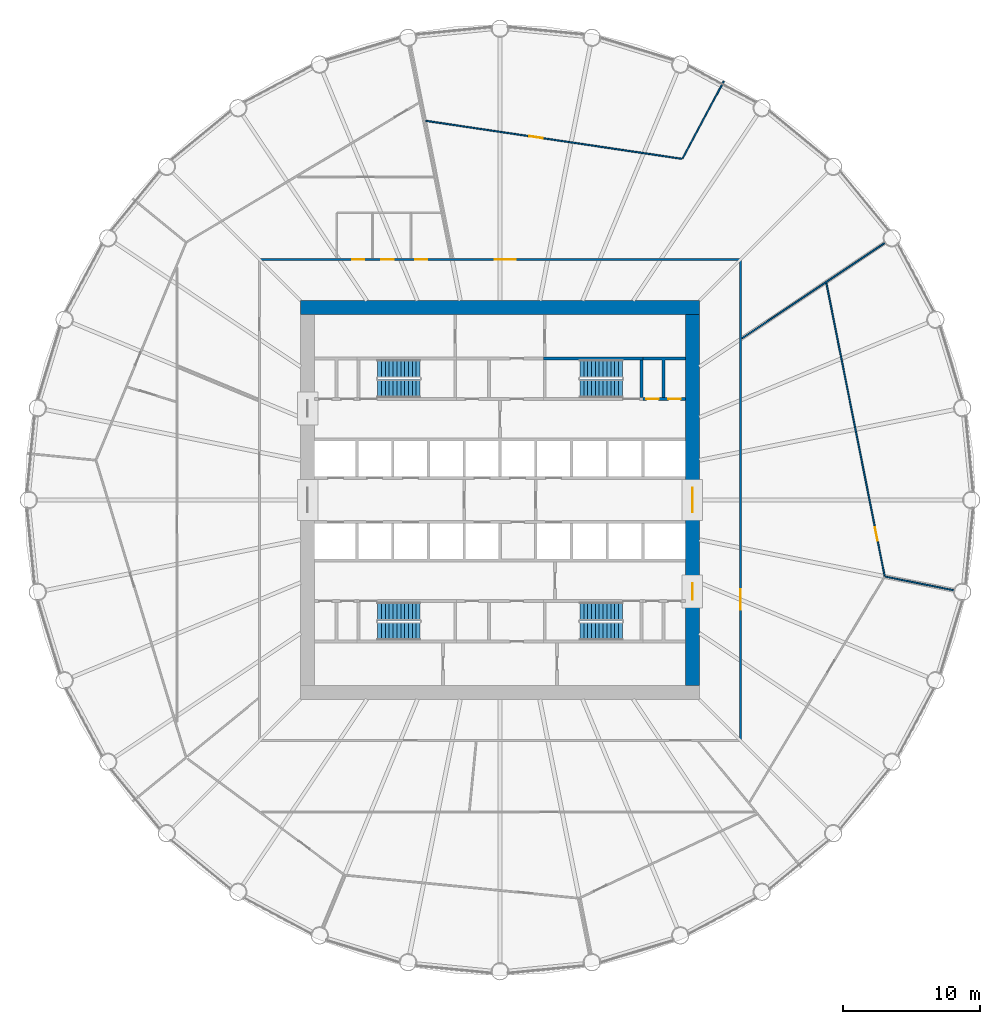
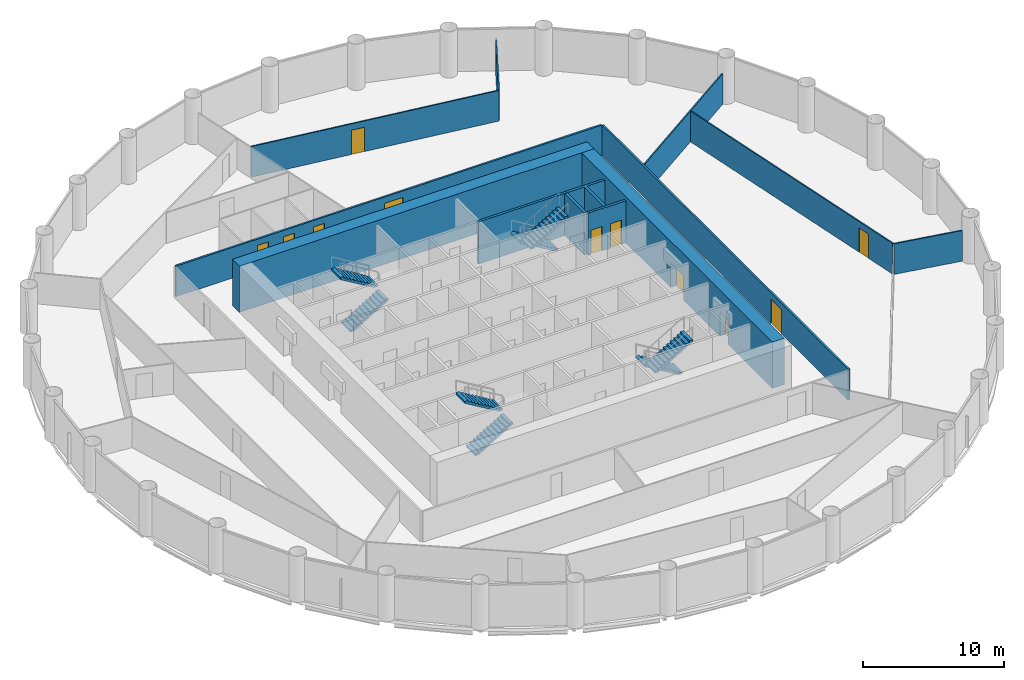
# One storey, part 7 of 8: 13 walls, 11 doors, 8 stair flights, 11 openings, 4 elements without a shape of their own.
"""IFC4 building model written with IfcOpenShell, lengths in metres."""

from ifc_helpers import new_model, si_unit, direction, frame, frame_2d, origin, place, context, subcontext, project, spatial, polyline, rectangle, outline, extrude, material, layer, layer_set, type_object, element, fill, aggregate, save


model = new_model("IFC4")

# Units and contexts
model_context = context("Model", 3, precision=1e-05, world=origin(), true_north=direction((0.0, 1.0)))
body_context = subcontext(model_context, "Body", "Model", "MODEL_VIEW")
ifc_project = project(units=[si_unit("LENGTHUNIT", "METRE"), si_unit("AREAUNIT", "SQUARE_METRE"), si_unit("VOLUMEUNIT", "CUBIC_METRE"), si_unit("PLANEANGLEUNIT", "RADIAN"), si_unit("MASSUNIT", "GRAM", prefix="KILO")], contexts=[model_context])

# Site, building, storey
site_placement = place(None, origin())
site = spatial("IfcSite", under=ifc_project, at=site_placement, CompositionType="ELEMENT")
building_placement = place(site_placement, origin())
building = spatial("IfcBuilding", under=site, at=building_placement, Name="Corvane Civic Tower", CompositionType="ELEMENT")
storey_placement = place(building_placement, frame((0.0, 0.0, 134.5)))
storey = spatial("IfcBuildingStorey", under=building, at=storey_placement, Name="L31", CompositionType="ELEMENT", Elevation=134.5)

# Wall
ifc_material_1 = material(Name="Concrete C70/85", Category="concrete")
ifc_layer_1 = layer(ifc_material_1, 1.0)
ifc_layer_set_1 = layer_set([ifc_layer_1], Name="Concrete C70/85")
wall_type_1 = type_object("IfcWallType", Name="CORE WALL 1000 C70/85", PredefinedType="SHEAR", material=ifc_layer_set_1)
wall_1_placement = place(storey_placement, frame((-14.5, 14.0, 0.0), z_axis=(0.0, 0.0, 1.0), x_axis=(1.0, 0.0, 0.0)))
element("IfcWall", 1, at=wall_1_placement, inside=storey, type_object=wall_type_1, Name="W-L31-core-N", PredefinedType="SHEAR", context=body_context, shape_type="SweptSolid", body=[
    extrude(rectangle(XDim=29.0, YDim=1.0, at=frame_2d((14.5, 0.0))), origin(), (0.0, 0.0, 1.0), 4.0),
])

# Wall, openings, doors
wall_2_placement = place(storey_placement, frame((14.0, -13.5, 0.0), z_axis=(0.0, 0.0, 1.0), x_axis=(0.0, 1.0, 0.0)))
wall_2 = element("IfcWall", 2, at=wall_2_placement, inside=storey, type_object=wall_type_1, Name="W-L31-core-E", PredefinedType="SHEAR", context=body_context, shape_type="SweptSolid", body=[
    extrude(rectangle(XDim=27.0, YDim=1.0, at=frame_2d((13.5, 0.0))), origin(), (0.0, 0.0, 1.0), 4.0),
])
opening_1_placement = place(wall_2_placement, frame((12.60009765625, 0.0, 0.0)))
opening_1 = element("IfcOpeningElement", 3, at=opening_1_placement, cuts=wall_2, Name="Opening L31.C29", PredefinedType="OPENING", context=body_context, shape_type="SweptSolid", body=[
    extrude(rectangle(XDim=1.800048828125, YDim=2.10009765625, at=frame_2d((0.89990234375, 1.050048828125))), frame((0.0, 0.510009765625, 0.0), z_axis=(0.0, -1.0, 0.0), x_axis=(1.0, 0.0, 0.0)), (0.0, 0.0, 1.0), 1.02001953125),
])
opening_2_placement = place(wall_2_placement, frame((6.25, 0.0, 0.0)))
opening_2 = element("IfcOpeningElement", 4, at=opening_2_placement, cuts=wall_2, Name="Opening L31.C31", PredefinedType="OPENING", context=body_context, shape_type="SweptSolid", body=[
    extrude(rectangle(XDim=1.199951171875, YDim=2.10009765625, at=frame_2d((0.60009765625, 1.050048828125))), frame((0.0, 0.510009765625, 0.0), z_axis=(0.0, -1.0, 0.0), x_axis=(1.0, 0.0, 0.0)), (0.0, 0.0, 1.0), 1.02001953125),
])
ifc_material_2 = material(Name="Steel fire door leaf", Category="steel")
door_type_1 = type_object("IfcDoorType", Name="CR-DOOR-CORE-1800", OperationType="DOUBLE_DOOR_SINGLE_SWING", PredefinedType="DOOR", material=ifc_material_2)
door_1_placement = place(opening_1_placement, origin())
door_1 = element("IfcDoor", 5, at=door_1_placement, inside=storey, type_object=door_type_1, Name="L31 door", OperationType="DOUBLE_DOOR_SINGLE_SWING", OverallHeight=2.10009765625, OverallWidth=1.800048828125, PredefinedType="DOOR", context=body_context, shape_type="SweptSolid", body=[
    extrude(rectangle(XDim=1.800048828125, YDim=2.10009765625, at=frame_2d((0.89990234375, 1.050048828125))), frame((0.0, 0.02490234375, 0.0), z_axis=(0.0, -1.0, 0.0), x_axis=(1.0, 0.0, 0.0)), (0.0, 0.0, 1.0), 0.050048828125),
])
fill(opening_1, door_1)
door_2_placement = place(opening_2_placement, origin())
door_2 = element("IfcDoor", 6, at=door_2_placement, inside=storey, type_object=door_type_1, Name="L31 door", OperationType="DOUBLE_DOOR_SINGLE_SWING", OverallHeight=2.10009765625, OverallWidth=1.199951171875, PredefinedType="DOOR", context=body_context, shape_type="SweptSolid", body=[
    extrude(rectangle(XDim=1.199951171875, YDim=2.10009765625, at=frame_2d((0.60009765625, 1.050048828125))), frame((0.0, 0.02490234375, 0.0), z_axis=(0.0, -1.0, 0.0), x_axis=(1.0, 0.0, 0.0)), (0.0, 0.0, 1.0), 0.050048828125),
])
fill(opening_2, door_2)

ifc_material_3 = material(Name="Concrete C30/37", Category="concrete")
ifc_layer_2 = layer(ifc_material_3, 0.199951171875)
ifc_layer_set_2 = layer_set([ifc_layer_2], Name="Concrete C30/37")
wall_type_2 = type_object("IfcWallType", Name="CR-WALL-200", PredefinedType="PARTITIONING", material=ifc_layer_set_2)
wall_3_placement = place(storey_placement, frame((10.39990234375, 7.35009765625, 0.0), z_axis=(0.0, 0.0, 1.0), x_axis=(1.0, 0.0, 0.0)))
wall_3 = element("IfcWall", 7, at=wall_3_placement, inside=storey, type_object=wall_type_2, Name="L31 core partition wall", PredefinedType="PARTITIONING", context=body_context, shape_type="SweptSolid", body=[
    extrude(rectangle(XDim=3.10009765625, YDim=0.199951171875, at=frame_2d((1.550048828125, 0.0))), origin(), (0.0, 0.0, 1.0), 3.64990234375),
])
opening_3_placement = place(wall_3_placement, frame((0.25, 0.0, 0.0)))
opening_3 = element("IfcOpeningElement", 8, at=opening_3_placement, cuts=wall_3, Name="Opening L31.C16", PredefinedType="OPENING", context=body_context, shape_type="SweptSolid", body=[
    extrude(rectangle(XDim=0.89990234375, YDim=2.10009765625, at=frame_2d((0.449951171875, 1.050048828125))), frame((0.0, 0.10986328125, 0.0), z_axis=(0.0, -1.0, 0.0), x_axis=(1.0, 0.0, 0.0)), (0.0, 0.0, 1.0), 0.219970703125),
])
opening_4_placement = place(wall_3_placement, frame((1.85009765625, 0.0, 0.0)))
opening_4 = element("IfcOpeningElement", 9, at=opening_4_placement, cuts=wall_3, Name="Opening L31.C17", PredefinedType="OPENING", context=body_context, shape_type="SweptSolid", body=[
    extrude(rectangle(XDim=0.89990234375, YDim=2.10009765625, at=frame_2d((0.449951171875, 1.050048828125))), frame((0.0, 0.10986328125, 0.0), z_axis=(0.0, -1.0, 0.0), x_axis=(1.0, 0.0, 0.0)), (0.0, 0.0, 1.0), 0.219970703125),
])
ifc_material_4 = material(Name="Steel fire door leaf", Category="steel")
door_type_2 = type_object("IfcDoorType", Name="CR-DOOR-900", OperationType="SINGLE_SWING_LEFT", PredefinedType="DOOR", material=ifc_material_4)
door_3_placement = place(opening_3_placement, origin())
door_3 = element("IfcDoor", 10, at=door_3_placement, inside=storey, type_object=door_type_2, Name="L31 door", OperationType="SINGLE_SWING_LEFT", OverallHeight=2.10009765625, OverallWidth=0.89990234375, PredefinedType="DOOR", context=body_context, shape_type="SweptSolid", body=[
    extrude(rectangle(XDim=0.89990234375, YDim=2.10009765625, at=frame_2d((0.449951171875, 1.050048828125))), frame((0.0, 0.02490234375, 0.0), z_axis=(0.0, -1.0, 0.0), x_axis=(1.0, 0.0, 0.0)), (0.0, 0.0, 1.0), 0.050048828125),
])
fill(opening_3, door_3)
door_4_placement = place(opening_4_placement, origin())
door_4 = element("IfcDoor", 11, at=door_4_placement, inside=storey, type_object=door_type_2, Name="L31 door", OperationType="SINGLE_SWING_LEFT", OverallHeight=2.10009765625, OverallWidth=0.89990234375, PredefinedType="DOOR", context=body_context, shape_type="SweptSolid", body=[
    extrude(rectangle(XDim=0.89990234375, YDim=2.10009765625, at=frame_2d((0.449951171875, 1.050048828125))), frame((0.0, 0.02490234375, 0.0), z_axis=(0.0, -1.0, 0.0), x_axis=(1.0, 0.0, 0.0)), (0.0, 0.0, 1.0), 0.050048828125),
])
fill(opening_4, door_4)

# Walls
wall_4_placement = place(storey_placement, origin())
element("IfcWall", 12, at=wall_4_placement, inside=storey, type_object=wall_type_2, Name="L31 core partition wall", PredefinedType="PARTITIONING", context=body_context, shape_type="SweptSolid", body=[
    extrude(outline(polyline([(13.5, 10.39990234375), (13.5, 10.199951171875), (12.0, 10.199951171875), (12.0, 7.449951171875), (11.800048828125, 7.449951171875), (11.800048828125, 10.199951171875), (10.39990234375, 10.199951171875), (10.39990234375, 10.39990234375), (13.5, 10.39990234375)])), origin(), (0.0, 0.0, 1.0), 3.64990234375),
])
ifc_material_5 = material(Name="Plasterboard")
ifc_layer_3 = layer(ifc_material_5, 0.10009765625)
ifc_layer_set_3 = layer_set([ifc_layer_3], Name="Plasterboard")
wall_type_3 = type_object("IfcWallType", Name="Partition 100 plasterboard on studs", PredefinedType="PARTITIONING", material=ifc_layer_set_3)
wall_5_placement = place(storey_placement, frame((28.029052734375, -5.5751953125, 0.0), z_axis=(0.0, 0.0, 1.0), x_axis=(0.980783206966, -0.195100745599, 0.0)))
element("IfcWall", 13, at=wall_5_placement, inside=storey, type_object=wall_type_3, Name="Partition L31.019", PredefinedType="PARTITIONING", context=body_context, shape_type="SweptSolid", body=[
    extrude(rectangle(XDim=5.086669921875, YDim=0.10009765625, at=frame_2d((2.54345703125, 0.0))), origin(), (0.0, 0.0, 1.0), 2.64990234375),
])

# Wall, opening, door
wall_6_placement = place(storey_placement, frame((23.747314453125, 15.7841796875, 0.0), z_axis=(0.0, 0.0, 1.0), x_axis=(0.195087930111, -0.98078575618, 0.0)))
wall_6 = element("IfcWall", 14, at=wall_6_placement, inside=storey, type_object=wall_type_3, Name="Partition L31.020", PredefinedType="PARTITIONING", context=body_context, shape_type="SweptSolid", body=[
    extrude(rectangle(XDim=21.737548828125, YDim=0.10009765625, at=frame_2d((10.86865234375, 0.0))), origin(), (0.0, 0.0, 1.0), 2.64990234375),
])
opening_5_placement = place(wall_6_placement, frame((18.12255859375, 0.0, 0.0)))
opening_5 = element("IfcOpeningElement", 15, at=opening_5_placement, cuts=wall_6, Name="Opening L31.003", PredefinedType="OPENING", context=body_context, shape_type="SweptSolid", body=[
    extrude(rectangle(XDim=1.0, YDim=2.10009765625, at=frame_2d((0.5, 1.050048828125))), frame((0.0, 0.06005859375, 0.0), z_axis=(0.0, -1.0, 0.0), x_axis=(1.0, 0.0, 0.0)), (0.0, 0.0, 1.0), 0.1201171875),
])
ifc_material_6 = material(Name="Timber", Category="wood")
door_type_3 = type_object("IfcDoorType", Name="Single door 1000", OperationType="NOTDEFINED", PredefinedType="DOOR", material=ifc_material_6)
door_5_placement = place(opening_5_placement, origin())
door_5 = element("IfcDoor", 16, at=door_5_placement, inside=storey, type_object=door_type_3, Name="Door L31.003", OperationType="SINGLE_SWING_LEFT", OverallHeight=2.10009765625, OverallWidth=1.0, PredefinedType="DOOR", context=body_context, shape_type="SweptSolid", body=[
    extrude(rectangle(XDim=1.0, YDim=2.10009765625, at=frame_2d((0.5, 1.050048828125))), frame((0.0, 0.02490234375, 0.0), z_axis=(0.0, -1.0, 0.0), x_axis=(1.0, 0.0, 0.0)), (0.0, 0.0, 1.0), 0.050048828125),
])
fill(opening_5, door_5)

# Wall
wall_7_placement = place(storey_placement, frame((17.602783203125, 11.76171875, 0.0), z_axis=(0.0, 0.0, 1.0), x_axis=(0.83146363145, 0.555579183893, 0.0)))
element("IfcWall", 17, at=wall_7_placement, inside=storey, type_object=wall_type_3, Name="Partition L31.025", PredefinedType="PARTITIONING", context=body_context, shape_type="SweptSolid", body=[
    extrude(rectangle(XDim=12.494384765625, YDim=0.10009765625, at=frame_2d((6.2470703125, 0.0))), origin(), (0.0, 0.0, 1.0), 2.64990234375),
])

# Wall, opening, door
wall_8_placement = place(storey_placement, frame((-5.420166015625, 27.59130859375, 0.0), z_axis=(0.0, 0.0, 1.0), x_axis=(0.989177307593, -0.146725097185, 0.0)))
wall_8 = element("IfcWall", 18, at=wall_8_placement, inside=storey, type_object=wall_type_3, Name="Partition L31.035", PredefinedType="PARTITIONING", context=body_context, shape_type="SweptSolid", body=[
    extrude(rectangle(XDim=18.855712890625, YDim=0.10009765625, at=frame_2d((9.427734375, 0.0))), origin(), (0.0, 0.0, 1.0), 2.64990234375),
])
opening_6_placement = place(wall_8_placement, frame((7.625, 0.0, 0.0)))
opening_6 = element("IfcOpeningElement", 19, at=opening_6_placement, cuts=wall_8, Name="Opening L31.001", PredefinedType="OPENING", context=body_context, shape_type="SweptSolid", body=[
    extrude(rectangle(XDim=1.0, YDim=2.10009765625, at=frame_2d((0.5, 1.050048828125))), frame((0.0, 0.06005859375, 0.0), z_axis=(0.0, -1.0, 0.0), x_axis=(1.0, 0.0, 0.0)), (0.0, 0.0, 1.0), 0.1201171875),
])
door_6_placement = place(opening_6_placement, origin())
door_6 = element("IfcDoor", 20, at=door_6_placement, inside=storey, type_object=door_type_3, Name="Door L31.001", OperationType="SINGLE_SWING_LEFT", OverallHeight=2.10009765625, OverallWidth=1.0, PredefinedType="DOOR", context=body_context, shape_type="SweptSolid", body=[
    extrude(rectangle(XDim=1.0, YDim=2.10009765625, at=frame_2d((0.5, 1.050048828125))), frame((0.0, 0.02490234375, 0.0), z_axis=(0.0, -1.0, 0.0), x_axis=(1.0, 0.0, 0.0)), (0.0, 0.0, 1.0), 0.050048828125),
])
fill(opening_6, door_6)

# Walls
wall_9_placement = place(storey_placement, frame((13.282958984375, 24.8505859375, 0.0), z_axis=(0.0, 0.0, 1.0), x_axis=(0.471399363954, 0.881919860114, 0.0)))
element("IfcWall", 21, at=wall_9_placement, inside=storey, type_object=wall_type_3, Name="Partition L31.036", PredefinedType="PARTITIONING", context=body_context, shape_type="SweptSolid", body=[
    extrude(rectangle(XDim=6.372314453125, YDim=0.10009765625, at=frame_2d((3.18603515625, 0.0))), origin(), (0.0, 0.0, 1.0), 2.64990234375),
])
ifc_material_7 = material(Name="Concrete C50/60", Category="concrete")
ifc_layer_4 = layer(ifc_material_7, 0.199951171875)
ifc_layer_set_4 = layer_set([ifc_layer_4], Name="Concrete C50/60")
wall_type_4 = type_object("IfcWallType", Name="ST-WALL-200", PredefinedType="SHEAR", material=ifc_layer_set_4)
wall_10_placement = place(storey_placement, origin())
element("IfcWall", 22, at=wall_10_placement, inside=storey, type_object=wall_type_4, Name="L31 stair enclosure wall", PredefinedType="SHEAR", context=body_context, shape_type="SweptSolid", body=[
    extrude(outline(polyline([(10.39990234375, 10.199951171875), (3.14990234375, 10.199951171875), (3.14990234375, 10.39990234375), (10.39990234375, 10.39990234375), (10.39990234375, 10.199951171875)])), origin(), (0.0, 0.0, 1.0), 3.64990234375),
])
wall_11_placement = place(storey_placement, origin())
element("IfcWall", 23, at=wall_11_placement, inside=storey, type_object=wall_type_4, Name="L31 stair enclosure wall", PredefinedType="SHEAR", context=body_context, shape_type="SweptSolid", body=[
    extrude(outline(polyline([(10.39990234375, 7.449951171875), (10.199951171875, 7.449951171875), (10.199951171875, 10.199951171875), (10.39990234375, 10.199951171875), (10.39990234375, 7.449951171875)])), origin(), (0.0, 0.0, 1.0), 3.64990234375),
])

# Wall, opening, door
ifc_material_8 = material(Name="Plasterboard")
ifc_layer_5 = layer(ifc_material_8, 0.14990234375)
ifc_layer_set_5 = layer_set([ifc_layer_5], Name="Plasterboard")
wall_type_5 = type_object("IfcWallType", Name="Tenancy wall 150 EI 60", PredefinedType="PARTITIONING", material=ifc_layer_set_5)
wall_12_placement = place(storey_placement, frame((17.5, -17.425048828125, 0.0), z_axis=(0.0, 0.0, 1.0), x_axis=(0.0, 1.0, 0.0)))
wall_12 = element("IfcWall", 24, at=wall_12_placement, inside=storey, type_object=wall_type_5, Name="Partition L31.016", PredefinedType="PARTITIONING", context=body_context, shape_type="SweptSolid", body=[
    extrude(rectangle(XDim=34.85009765625, YDim=0.14990234375, at=frame_2d((17.425048828125, 0.0))), origin(), (0.0, 0.0, 1.0), 2.64990234375),
])
opening_7_placement = place(wall_12_placement, frame((9.447509765625, 0.0, 0.0)))
opening_7 = element("IfcOpeningElement", 25, at=opening_7_placement, cuts=wall_12, Name="Opening L31.005", PredefinedType="OPENING", context=body_context, shape_type="SweptSolid", body=[
    extrude(rectangle(XDim=1.5, YDim=2.10009765625, at=frame_2d((0.75, 1.050048828125))), frame((0.0, 0.0849609375, 0.0), z_axis=(0.0, -1.0, 0.0), x_axis=(1.0, 0.0, 0.0)), (0.0, 0.0, 1.0), 0.169921875),
])
ifc_material_9 = material(Name="Steel and timber", Category="steel")
door_type_4 = type_object("IfcDoorType", Name="Fire door FD60 double 1500", OperationType="NOTDEFINED", PredefinedType="DOOR", material=ifc_material_9)
door_7_placement = place(opening_7_placement, frame((1.5, 0.0, 0.0), z_axis=(0.0, 0.0, 1.0), x_axis=(-1.0, 0.0, 0.0)))
door_7 = element("IfcDoor", 26, at=door_7_placement, inside=storey, type_object=door_type_4, Name="Door L31.005", OperationType="DOUBLE_DOOR_SINGLE_SWING", OverallHeight=2.10009765625, OverallWidth=1.5, PredefinedType="DOOR", context=body_context, shape_type="SweptSolid", body=[
    extrude(rectangle(XDim=1.5, YDim=2.10009765625, at=frame_2d((0.75, 1.050048828125))), frame((0.0, 0.02490234375, 0.0), z_axis=(0.0, -1.0, 0.0), x_axis=(1.0, 0.0, 0.0)), (0.0, 0.0, 1.0), 0.050048828125),
])
fill(opening_7, door_7)

# Wall, openings, doors
wall_13_placement = place(storey_placement, frame((-17.425048828125, 17.5, 0.0), z_axis=(0.0, 0.0, 1.0), x_axis=(1.0, 0.0, 0.0)))
wall_13 = element("IfcWall", 27, at=wall_13_placement, inside=storey, type_object=wall_type_5, Name="Partition L31.026", PredefinedType="PARTITIONING", context=body_context, shape_type="SweptSolid", body=[
    extrude(rectangle(XDim=34.85009765625, YDim=0.14990234375, at=frame_2d((17.425048828125, 0.0))), origin(), (0.0, 0.0, 1.0), 2.64990234375),
])
opening_8_placement = place(wall_13_placement, frame((17.05859375, 0.0, 0.0)))
opening_8 = element("IfcOpeningElement", 28, at=opening_8_placement, cuts=wall_13, Name="Opening L31.002", PredefinedType="OPENING", context=body_context, shape_type="SweptSolid", body=[
    extrude(rectangle(XDim=1.5, YDim=2.10009765625, at=frame_2d((0.75, 1.050048828125))), frame((0.0, 0.0849609375, 0.0), z_axis=(0.0, -1.0, 0.0), x_axis=(1.0, 0.0, 0.0)), (0.0, 0.0, 1.0), 0.169921875),
])
opening_9_placement = place(wall_13_placement, frame((8.7998046875, 0.0, 0.0)))
opening_9 = element("IfcOpeningElement", 29, at=opening_9_placement, cuts=wall_13, Name="Opening L31.020", PredefinedType="OPENING", context=body_context, shape_type="SweptSolid", body=[
    extrude(rectangle(XDim=0.89990234375, YDim=2.10009765625, at=frame_2d((0.449951171875, 1.050048828125))), frame((0.0, 0.0849609375, 0.0), z_axis=(0.0, -1.0, 0.0), x_axis=(1.0, 0.0, 0.0)), (0.0, 0.0, 1.0), 0.169921875),
])
opening_10_placement = place(wall_13_placement, frame((11.2431640625, 0.0, 0.0)))
opening_10 = element("IfcOpeningElement", 30, at=opening_10_placement, cuts=wall_13, Name="Opening L31.021", PredefinedType="OPENING", context=body_context, shape_type="SweptSolid", body=[
    extrude(rectangle(XDim=0.89990234375, YDim=2.10009765625, at=frame_2d((0.449951171875, 1.050048828125))), frame((0.0, 0.0849609375, 0.0), z_axis=(0.0, -1.0, 0.0), x_axis=(1.0, 0.0, 0.0)), (0.0, 0.0, 1.0), 0.169921875),
])
opening_11_placement = place(wall_13_placement, frame((6.6572265625, 0.0, 0.0)))
opening_11 = element("IfcOpeningElement", 31, at=opening_11_placement, cuts=wall_13, Name="Opening L31.022", PredefinedType="OPENING", context=body_context, shape_type="SweptSolid", body=[
    extrude(rectangle(XDim=0.89990234375, YDim=2.10009765625, at=frame_2d((0.449951171875, 1.050048828125))), frame((0.0, 0.0849609375, 0.0), z_axis=(0.0, -1.0, 0.0), x_axis=(1.0, 0.0, 0.0)), (0.0, 0.0, 1.0), 0.169921875),
])
ifc_material_10 = material(Name="Steel and timber", Category="steel")
door_type_5 = type_object("IfcDoorType", Name="Fire door FD30S 900", OperationType="NOTDEFINED", PredefinedType="DOOR", material=ifc_material_10)
door_8_placement = place(opening_9_placement, origin())
door_8 = element("IfcDoor", 32, at=door_8_placement, inside=storey, type_object=door_type_5, Name="Door L31.020", OperationType="SINGLE_SWING_RIGHT", OverallHeight=2.10009765625, OverallWidth=0.89990234375, PredefinedType="DOOR", context=body_context, shape_type="SweptSolid", body=[
    extrude(rectangle(XDim=0.89990234375, YDim=2.10009765625, at=frame_2d((0.449951171875, 1.050048828125))), frame((0.0, 0.02490234375, 0.0), z_axis=(0.0, -1.0, 0.0), x_axis=(1.0, 0.0, 0.0)), (0.0, 0.0, 1.0), 0.050048828125),
])
fill(opening_9, door_8)
door_9_placement = place(opening_10_placement, origin())
door_9 = element("IfcDoor", 33, at=door_9_placement, inside=storey, type_object=door_type_5, Name="Door L31.021", OperationType="SINGLE_SWING_LEFT", OverallHeight=2.10009765625, OverallWidth=0.89990234375, PredefinedType="DOOR", context=body_context, shape_type="SweptSolid", body=[
    extrude(rectangle(XDim=0.89990234375, YDim=2.10009765625, at=frame_2d((0.449951171875, 1.050048828125))), frame((0.0, 0.02490234375, 0.0), z_axis=(0.0, -1.0, 0.0), x_axis=(1.0, 0.0, 0.0)), (0.0, 0.0, 1.0), 0.050048828125),
])
fill(opening_10, door_9)
door_10_placement = place(opening_11_placement, origin())
door_10 = element("IfcDoor", 34, at=door_10_placement, inside=storey, type_object=door_type_5, Name="Door L31.022", OperationType="SINGLE_SWING_LEFT", OverallHeight=2.10009765625, OverallWidth=0.89990234375, PredefinedType="DOOR", context=body_context, shape_type="SweptSolid", body=[
    extrude(rectangle(XDim=0.89990234375, YDim=2.10009765625, at=frame_2d((0.449951171875, 1.050048828125))), frame((0.0, 0.02490234375, 0.0), z_axis=(0.0, -1.0, 0.0), x_axis=(1.0, 0.0, 0.0)), (0.0, 0.0, 1.0), 0.050048828125),
])
fill(opening_11, door_10)
door_11_placement = place(opening_8_placement, origin())
door_11 = element("IfcDoor", 35, at=door_11_placement, inside=storey, type_object=door_type_4, Name="Door L31.002", OperationType="DOUBLE_DOOR_SINGLE_SWING", OverallHeight=2.10009765625, OverallWidth=1.5, PredefinedType="DOOR", context=body_context, shape_type="SweptSolid", body=[
    extrude(rectangle(XDim=1.5, YDim=2.10009765625, at=frame_2d((0.75, 1.050048828125))), frame((0.0, 0.02490234375, 0.0), z_axis=(0.0, -1.0, 0.0), x_axis=(1.0, 0.0, 0.0)), (0.0, 0.0, 1.0), 0.050048828125),
])
fill(opening_8, door_11)

# Stair, stair flights
ifc_material_11 = material(Name="Concrete C40/50", Category="concrete")
stair_type = type_object("IfcStairType", Name="ST-STAIR-HALFTURN", PredefinedType="HALF_TURN_STAIR", material=ifc_material_11)
stair_1_placement = place(storey_placement, origin())
stair_1 = element("IfcStair", 36, at=stair_1_placement, inside=storey, type_object=stair_type, Name="L31 Exit stair ST1", PredefinedType="HALF_TURN_STAIR")
ifc_material_12 = material(Name="Concrete C40/50", Category="concrete")
stair_flight_type = type_object("IfcStairFlightType", Name="ST-FLIGHT-RC", PredefinedType="STRAIGHT", material=ifc_material_12)
stair_flight_1_placement = place(storey_placement, frame((8.89990234375, 9.550048828125, 0.0), z_axis=(0.0, 0.0, 1.0), x_axis=(-1.0, 0.0, 0.0)))
stair_flight_1 = element("IfcStairFlight", 37, at=stair_flight_1_placement, type_object=stair_flight_type, Name="ST1 flight 1", NumberOfRisers=12, NumberOfTreads=11, PredefinedType="STRAIGHT", RiserHeight=0.166666667, TreadLength=0.28, context=body_context, shape_type="SweptSolid", body=[
    extrude(outline(polyline([(0.0, 0.0), (0.0, 0.166748046875), (0.280029296875, 0.166748046875), (0.280029296875, 0.333251953125), (0.56005859375, 0.333251953125), (0.56005859375, 0.5), (0.840087890625, 0.5), (0.840087890625, 0.666748046875), (1.1201171875, 0.666748046875), (1.1201171875, 0.833251953125), (1.39990234375, 0.833251953125), (1.39990234375, 1.0), (1.679931640625, 1.0), (1.679931640625, 1.166748046875), (1.9599609375, 1.166748046875), (1.9599609375, 1.333251953125), (2.239990234375, 1.333251953125), (2.239990234375, 1.5), (2.52001953125, 1.5), (2.52001953125, 1.666748046875), (2.800048828125, 1.666748046875), (2.800048828125, 1.833251953125), (3.080078125, 1.833251953125), (3.080078125, 2.0), (3.080078125, 1.658935546875), (0.29296875, 0.0), (0.0, 0.0)])), frame((0.0, 0.64990234375, 0.0), z_axis=(0.0, -1.0, 0.0), x_axis=(1.0, 0.0, 0.0)), (0.0, 0.0, 1.0), 1.300048828125),
])
stair_flight_2_placement = place(storey_placement, frame((5.820068359375, 8.10009765625, 2.0), z_axis=(0.0, 0.0, 1.0), x_axis=(1.0, 0.0, 0.0)))
stair_flight_2 = element("IfcStairFlight", 38, at=stair_flight_2_placement, type_object=stair_flight_type, Name="ST1 flight 2", NumberOfRisers=12, NumberOfTreads=11, PredefinedType="STRAIGHT", RiserHeight=0.166666667, TreadLength=0.28, context=body_context, shape_type="SweptSolid", body=[
    extrude(outline(polyline([(0.0, 0.0), (0.0, 0.166748046875), (0.280029296875, 0.166748046875), (0.280029296875, 0.333251953125), (0.56005859375, 0.333251953125), (0.56005859375, 0.5), (0.840087890625, 0.5), (0.840087890625, 0.666748046875), (1.1201171875, 0.666748046875), (1.1201171875, 0.833251953125), (1.39990234375, 0.833251953125), (1.39990234375, 1.0), (1.679931640625, 1.0), (1.679931640625, 1.166748046875), (1.9599609375, 1.166748046875), (1.9599609375, 1.333251953125), (2.239990234375, 1.333251953125), (2.239990234375, 1.5), (2.52001953125, 1.5), (2.52001953125, 1.666748046875), (2.800048828125, 1.666748046875), (2.800048828125, 1.833251953125), (3.080078125, 1.833251953125), (3.080078125, 2.0), (3.080078125, 1.658935546875), (0.29296875, 0.0), (0.0, 0.0)])), frame((0.0, 0.64990234375, 0.0), z_axis=(0.0, -1.0, 0.0), x_axis=(1.0, 0.0, 0.0)), (0.0, 0.0, 1.0), 1.300048828125),
])
aggregate(stair_1, [stair_flight_1, stair_flight_2])

stair_2_placement = place(storey_placement, origin())
stair_2 = element("IfcStair", 39, at=stair_2_placement, inside=storey, type_object=stair_type, Name="L31 Exit stair ST2", PredefinedType="HALF_TURN_STAIR")
stair_flight_3_placement = place(storey_placement, frame((8.89990234375, -8.10009765625, 0.0), z_axis=(0.0, 0.0, 1.0), x_axis=(-1.0, 0.0, 0.0)))
stair_flight_3 = element("IfcStairFlight", 40, at=stair_flight_3_placement, type_object=stair_flight_type, Name="ST2 flight 1", NumberOfRisers=12, NumberOfTreads=11, PredefinedType="STRAIGHT", RiserHeight=0.166666667, TreadLength=0.28, context=body_context, shape_type="SweptSolid", body=[
    extrude(outline(polyline([(0.0, 0.0), (0.0, 0.166748046875), (0.280029296875, 0.166748046875), (0.280029296875, 0.333251953125), (0.56005859375, 0.333251953125), (0.56005859375, 0.5), (0.840087890625, 0.5), (0.840087890625, 0.666748046875), (1.1201171875, 0.666748046875), (1.1201171875, 0.833251953125), (1.39990234375, 0.833251953125), (1.39990234375, 1.0), (1.679931640625, 1.0), (1.679931640625, 1.166748046875), (1.9599609375, 1.166748046875), (1.9599609375, 1.333251953125), (2.239990234375, 1.333251953125), (2.239990234375, 1.5), (2.52001953125, 1.5), (2.52001953125, 1.666748046875), (2.800048828125, 1.666748046875), (2.800048828125, 1.833251953125), (3.080078125, 1.833251953125), (3.080078125, 2.0), (3.080078125, 1.658935546875), (0.29296875, 0.0), (0.0, 0.0)])), frame((0.0, 0.64990234375, 0.0), z_axis=(0.0, -1.0, 0.0), x_axis=(1.0, 0.0, 0.0)), (0.0, 0.0, 1.0), 1.300048828125),
])
stair_flight_4_placement = place(storey_placement, frame((5.820068359375, -9.550048828125, 2.0), z_axis=(0.0, 0.0, 1.0), x_axis=(1.0, 0.0, 0.0)))
stair_flight_4 = element("IfcStairFlight", 41, at=stair_flight_4_placement, type_object=stair_flight_type, Name="ST2 flight 2", NumberOfRisers=12, NumberOfTreads=11, PredefinedType="STRAIGHT", RiserHeight=0.166666667, TreadLength=0.28, context=body_context, shape_type="SweptSolid", body=[
    extrude(outline(polyline([(0.0, 0.0), (0.0, 0.166748046875), (0.280029296875, 0.166748046875), (0.280029296875, 0.333251953125), (0.56005859375, 0.333251953125), (0.56005859375, 0.5), (0.840087890625, 0.5), (0.840087890625, 0.666748046875), (1.1201171875, 0.666748046875), (1.1201171875, 0.833251953125), (1.39990234375, 0.833251953125), (1.39990234375, 1.0), (1.679931640625, 1.0), (1.679931640625, 1.166748046875), (1.9599609375, 1.166748046875), (1.9599609375, 1.333251953125), (2.239990234375, 1.333251953125), (2.239990234375, 1.5), (2.52001953125, 1.5), (2.52001953125, 1.666748046875), (2.800048828125, 1.666748046875), (2.800048828125, 1.833251953125), (3.080078125, 1.833251953125), (3.080078125, 2.0), (3.080078125, 1.658935546875), (0.29296875, 0.0), (0.0, 0.0)])), frame((0.0, 0.64990234375, 0.0), z_axis=(0.0, -1.0, 0.0), x_axis=(1.0, 0.0, 0.0)), (0.0, 0.0, 1.0), 1.300048828125),
])
aggregate(stair_2, [stair_flight_3, stair_flight_4])

stair_3_placement = place(storey_placement, origin())
stair_3 = element("IfcStair", 42, at=stair_3_placement, inside=storey, type_object=stair_type, Name="L31 Exit stair ST3", PredefinedType="HALF_TURN_STAIR")
stair_flight_5_placement = place(storey_placement, frame((-8.89990234375, -9.550048828125, 0.0), z_axis=(0.0, 0.0, 1.0), x_axis=(1.0, 0.0, 0.0)))
stair_flight_5 = element("IfcStairFlight", 43, at=stair_flight_5_placement, type_object=stair_flight_type, Name="ST3 flight 1", NumberOfRisers=12, NumberOfTreads=11, PredefinedType="STRAIGHT", RiserHeight=0.166666667, TreadLength=0.28, context=body_context, shape_type="SweptSolid", body=[
    extrude(outline(polyline([(0.0, 0.0), (0.0, 0.166748046875), (0.280029296875, 0.166748046875), (0.280029296875, 0.333251953125), (0.56005859375, 0.333251953125), (0.56005859375, 0.5), (0.840087890625, 0.5), (0.840087890625, 0.666748046875), (1.1201171875, 0.666748046875), (1.1201171875, 0.833251953125), (1.39990234375, 0.833251953125), (1.39990234375, 1.0), (1.679931640625, 1.0), (1.679931640625, 1.166748046875), (1.9599609375, 1.166748046875), (1.9599609375, 1.333251953125), (2.239990234375, 1.333251953125), (2.239990234375, 1.5), (2.52001953125, 1.5), (2.52001953125, 1.666748046875), (2.800048828125, 1.666748046875), (2.800048828125, 1.833251953125), (3.080078125, 1.833251953125), (3.080078125, 2.0), (3.080078125, 1.658935546875), (0.29296875, 0.0), (0.0, 0.0)])), frame((0.0, 0.64990234375, 0.0), z_axis=(0.0, -1.0, 0.0), x_axis=(1.0, 0.0, 0.0)), (0.0, 0.0, 1.0), 1.300048828125),
])
stair_flight_6_placement = place(storey_placement, frame((-5.820068359375, -8.10009765625, 2.0), z_axis=(0.0, 0.0, 1.0), x_axis=(-1.0, 0.0, 0.0)))
stair_flight_6 = element("IfcStairFlight", 44, at=stair_flight_6_placement, type_object=stair_flight_type, Name="ST3 flight 2", NumberOfRisers=12, NumberOfTreads=11, PredefinedType="STRAIGHT", RiserHeight=0.166666667, TreadLength=0.28, context=body_context, shape_type="SweptSolid", body=[
    extrude(outline(polyline([(0.0, 0.0), (0.0, 0.166748046875), (0.280029296875, 0.166748046875), (0.280029296875, 0.333251953125), (0.56005859375, 0.333251953125), (0.56005859375, 0.5), (0.840087890625, 0.5), (0.840087890625, 0.666748046875), (1.1201171875, 0.666748046875), (1.1201171875, 0.833251953125), (1.39990234375, 0.833251953125), (1.39990234375, 1.0), (1.679931640625, 1.0), (1.679931640625, 1.166748046875), (1.9599609375, 1.166748046875), (1.9599609375, 1.333251953125), (2.239990234375, 1.333251953125), (2.239990234375, 1.5), (2.52001953125, 1.5), (2.52001953125, 1.666748046875), (2.800048828125, 1.666748046875), (2.800048828125, 1.833251953125), (3.080078125, 1.833251953125), (3.080078125, 2.0), (3.080078125, 1.658935546875), (0.29296875, 0.0), (0.0, 0.0)])), frame((0.0, 0.64990234375, 0.0), z_axis=(0.0, -1.0, 0.0), x_axis=(1.0, 0.0, 0.0)), (0.0, 0.0, 1.0), 1.300048828125),
])
aggregate(stair_3, [stair_flight_5, stair_flight_6])

stair_4_placement = place(storey_placement, origin())
stair_4 = element("IfcStair", 45, at=stair_4_placement, inside=storey, type_object=stair_type, Name="L31 Exit stair ST4", PredefinedType="HALF_TURN_STAIR")
stair_flight_7_placement = place(storey_placement, frame((-8.89990234375, 8.10009765625, 0.0), z_axis=(0.0, 0.0, 1.0), x_axis=(1.0, 0.0, 0.0)))
stair_flight_7 = element("IfcStairFlight", 46, at=stair_flight_7_placement, type_object=stair_flight_type, Name="ST4 flight 1", NumberOfRisers=12, NumberOfTreads=11, PredefinedType="STRAIGHT", RiserHeight=0.166666667, TreadLength=0.28, context=body_context, shape_type="SweptSolid", body=[
    extrude(outline(polyline([(0.0, 0.0), (0.0, 0.166748046875), (0.280029296875, 0.166748046875), (0.280029296875, 0.333251953125), (0.56005859375, 0.333251953125), (0.56005859375, 0.5), (0.840087890625, 0.5), (0.840087890625, 0.666748046875), (1.1201171875, 0.666748046875), (1.1201171875, 0.833251953125), (1.39990234375, 0.833251953125), (1.39990234375, 1.0), (1.679931640625, 1.0), (1.679931640625, 1.166748046875), (1.9599609375, 1.166748046875), (1.9599609375, 1.333251953125), (2.239990234375, 1.333251953125), (2.239990234375, 1.5), (2.52001953125, 1.5), (2.52001953125, 1.666748046875), (2.800048828125, 1.666748046875), (2.800048828125, 1.833251953125), (3.080078125, 1.833251953125), (3.080078125, 2.0), (3.080078125, 1.658935546875), (0.29296875, 0.0), (0.0, 0.0)])), frame((0.0, 0.64990234375, 0.0), z_axis=(0.0, -1.0, 0.0), x_axis=(1.0, 0.0, 0.0)), (0.0, 0.0, 1.0), 1.300048828125),
])
stair_flight_8_placement = place(storey_placement, frame((-5.820068359375, 9.550048828125, 2.0), z_axis=(0.0, 0.0, 1.0), x_axis=(-1.0, 0.0, 0.0)))
stair_flight_8 = element("IfcStairFlight", 47, at=stair_flight_8_placement, type_object=stair_flight_type, Name="ST4 flight 2", NumberOfRisers=12, NumberOfTreads=11, PredefinedType="STRAIGHT", RiserHeight=0.166666667, TreadLength=0.28, context=body_context, shape_type="SweptSolid", body=[
    extrude(outline(polyline([(0.0, 0.0), (0.0, 0.166748046875), (0.280029296875, 0.166748046875), (0.280029296875, 0.333251953125), (0.56005859375, 0.333251953125), (0.56005859375, 0.5), (0.840087890625, 0.5), (0.840087890625, 0.666748046875), (1.1201171875, 0.666748046875), (1.1201171875, 0.833251953125), (1.39990234375, 0.833251953125), (1.39990234375, 1.0), (1.679931640625, 1.0), (1.679931640625, 1.166748046875), (1.9599609375, 1.166748046875), (1.9599609375, 1.333251953125), (2.239990234375, 1.333251953125), (2.239990234375, 1.5), (2.52001953125, 1.5), (2.52001953125, 1.666748046875), (2.800048828125, 1.666748046875), (2.800048828125, 1.833251953125), (3.080078125, 1.833251953125), (3.080078125, 2.0), (3.080078125, 1.658935546875), (0.29296875, 0.0), (0.0, 0.0)])), frame((0.0, 0.64990234375, 0.0), z_axis=(0.0, -1.0, 0.0), x_axis=(1.0, 0.0, 0.0)), (0.0, 0.0, 1.0), 1.300048828125),
])
aggregate(stair_4, [stair_flight_7, stair_flight_8])

save(model, "model.ifc")
